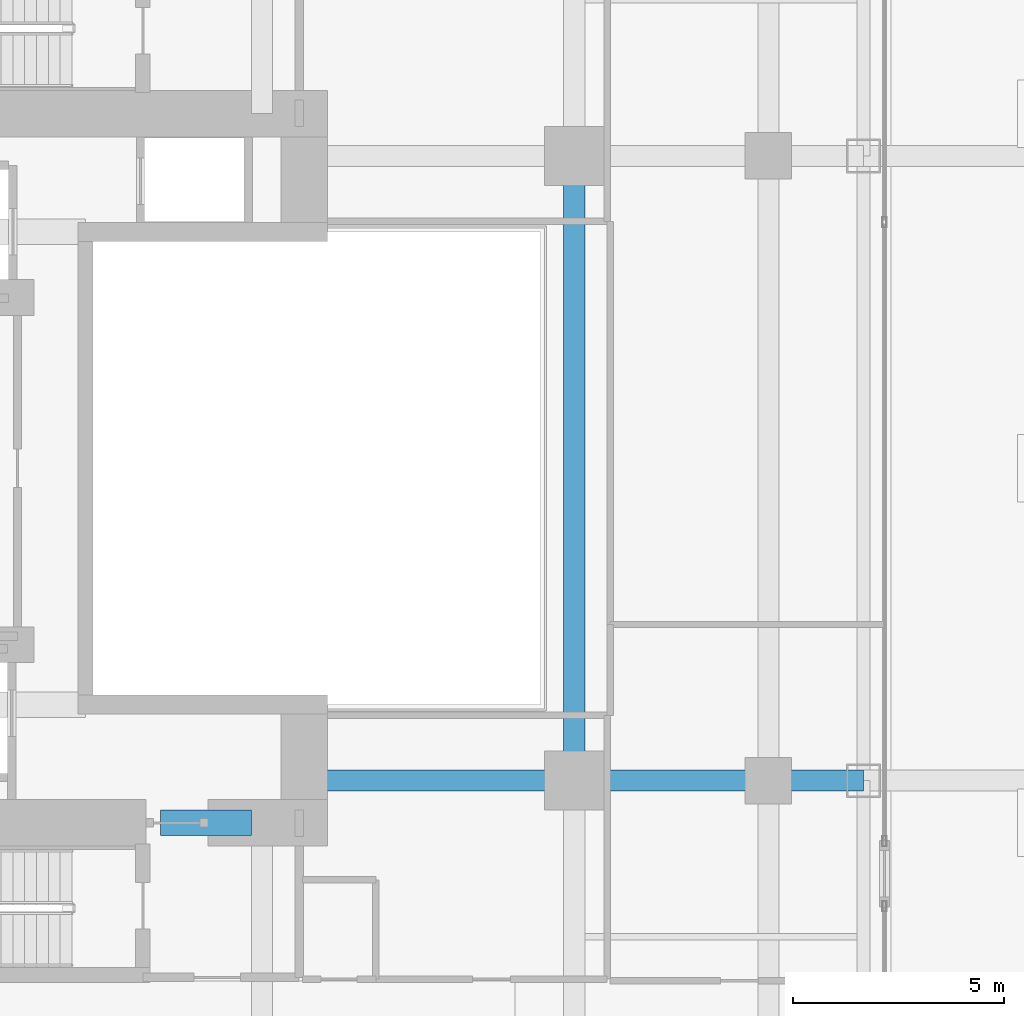
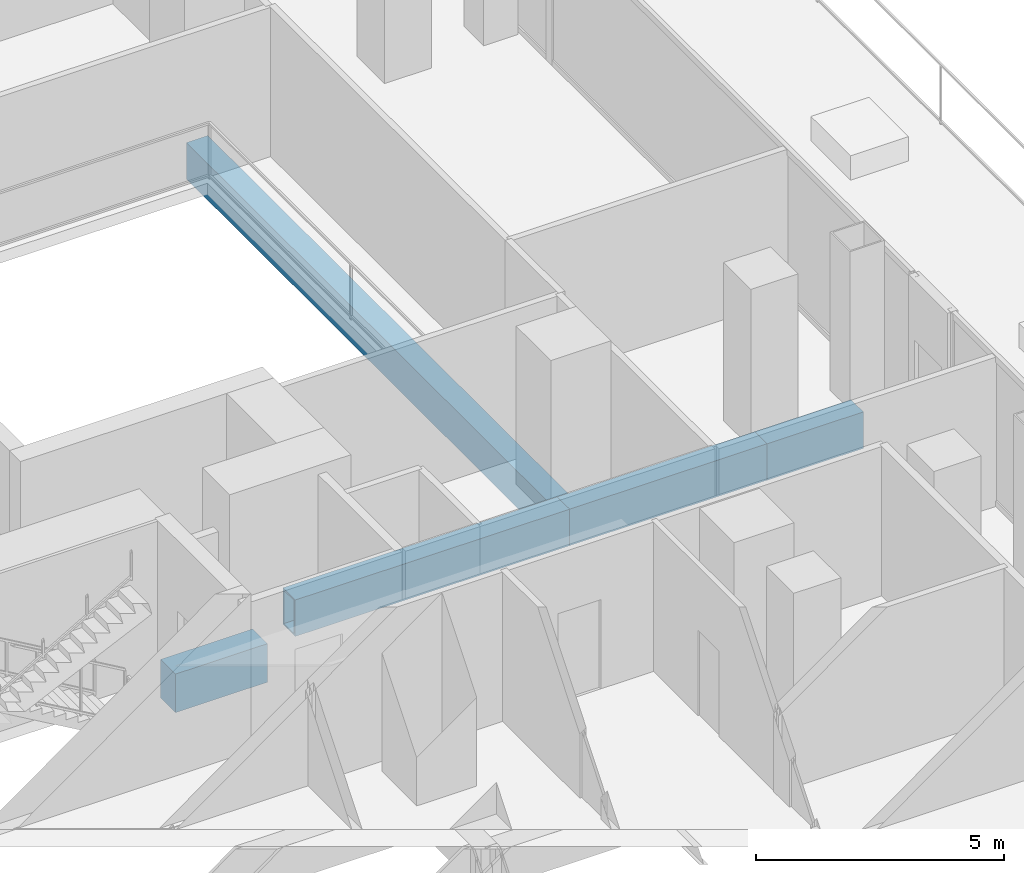
# One storey, part 11 of 29: 5 beams.
"""IFC4 building model written with IfcOpenShell, lengths in metres."""

import ifcopenshell
import ifcopenshell.guid

model = None  # the IFC model being written
_history = None  # IfcOwnerHistory: only IFC2X3 demands one
_inside = {}  # id of a spatial element -> (the spatial element, [elements in it])
_under = {}  # id of a project, library or spatial element -> (it, [spatial elements below it])
_declared = {}  # id of a project -> (the project, [libraries it declares])
_typed = {}  # id of a type object -> (the type object, [elements of that type])
_made_of = {}  # id of a material, layer set ... -> (it, [elements and type objects made of it])


def new_model(schema):
    """Start an empty IFC model of exactly this schema.

    Asked for "IFC4X3", IfcOpenShell would pick the latest addendum, in which some entities
    have other attributes; the version numbers below select the first issue.
    IFC2X3 requires an IfcOwnerHistory on every rooted entity: one is made here for all.
    """
    global model, _history
    if schema == "IFC4X3":
        model = ifcopenshell.file(schema_version=(4, 3, 0, 0))
    else:
        model = ifcopenshell.file(schema=schema)
    _inside.clear()
    _under.clear()
    _declared.clear()
    _typed.clear()
    _made_of.clear()
    _history = None
    if model.schema == "IFC2X3":
        org = make("IfcOrganization", Name="unknown")
        user = make(
            "IfcPersonAndOrganization",
            ThePerson=make("IfcPerson", FamilyName="unknown"),
            TheOrganization=org,
        )
        app = make(
            "IfcApplication",
            ApplicationDeveloper=org,
            Version="unknown",
            ApplicationFullName="unknown",
            ApplicationIdentifier="unknown",
        )
        _history = make(
            "IfcOwnerHistory",
            OwningUser=user,
            OwningApplication=app,
            ChangeAction="ADDED",
            CreationDate=0,
        )
    return model


def make(cls, **values):
    """One entity of the class cls with the attributes given. An attribute that is None is left unset."""
    return model.create_entity(
        cls, **{name: value for name, value in values.items() if value is not None}
    )


def rooted(cls, **values):
    """An entity with a GlobalId (a new one), such as an element, a storey or a relation."""
    return make(cls, GlobalId=ifcopenshell.guid.new(), OwnerHistory=_history, **values)


def si_unit(unit_type, name, prefix=None):
    """IfcSIUnit, for example si_unit("LENGTHUNIT", "METRE", prefix="MILLI")."""
    return make("IfcSIUnit", UnitType=unit_type, Prefix=prefix, Name=name)


def assignment(units):
    """IfcUnitAssignment: the units of a project."""
    return None if units is None else make("IfcUnitAssignment", Units=units)


def point(xyz):
    """IfcCartesianPoint."""
    return None if xyz is None else make("IfcCartesianPoint", Coordinates=xyz)


def direction(xyz):
    """IfcDirection."""
    return None if xyz is None else make("IfcDirection", DirectionRatios=xyz)


def frame(location, z_axis=None, x_axis=None):
    """IfcAxis2Placement3D, a coordinate frame: its origin and axes. An axis left out is left unset."""
    return make(
        "IfcAxis2Placement3D",
        Location=point(location),
        Axis=direction(z_axis),
        RefDirection=direction(x_axis),
    )


def frame_2d(location, x_axis=None):
    """IfcAxis2Placement2D, a coordinate frame in the plane: its origin and x axis."""
    return make(
        "IfcAxis2Placement2D", Location=point(location), RefDirection=direction(x_axis)
    )


def origin():
    """The frame at (0, 0, 0) with its axes left unset."""
    return frame((0.0, 0.0, 0.0))


def origin_2d():
    """The frame at (0, 0) in the plane with its x axis left unset."""
    return frame_2d((0.0, 0.0))


def place(relative_to, where):
    """IfcLocalPlacement: puts the frame where relative to a parent placement (None: the world)."""
    return make(
        "IfcLocalPlacement", PlacementRelTo=relative_to, RelativePlacement=where
    )


def context(
    kind, dimensions, precision=None, world=None, true_north=None, identifier=None
):
    """IfcGeometricRepresentationContext, for example the 3D "Model" context."""
    return make(
        "IfcGeometricRepresentationContext",
        ContextIdentifier=identifier,
        ContextType=kind,
        CoordinateSpaceDimension=dimensions,
        Precision=precision,
        WorldCoordinateSystem=world,
        TrueNorth=true_north,
    )


def subcontext(parent, identifier, kind, view, scale=None):
    """IfcGeometricRepresentationSubContext, for example "Body" below "Model"."""
    return make(
        "IfcGeometricRepresentationSubContext",
        ContextIdentifier=identifier,
        ContextType=kind,
        ParentContext=parent,
        TargetScale=scale,
        TargetView=view,
    )


def project(units=None, contexts=None):
    """IfcProject with its units and contexts."""
    return rooted(
        "IfcProject",
        Name="project",
        RepresentationContexts=contexts,
        UnitsInContext=assignment(units),
    )


def spatial(cls, under=None, at=None, **own):
    """A site, building, storey or space (cls), placed at a placement, below another one or the project."""
    s = rooted(cls, ObjectPlacement=at, **own)
    if under is not None:
        _under.setdefault(under.id(), (under, []))[1].append(s)
    return s


def profile(cls, at=None, kind="AREA", **sizes):
    """A parametric profile (cls). Its sizes go by their IFC names, for example OverallWidth=200.0."""
    return make(cls, ProfileType=kind, Position=at, **sizes)


def rectangle(**sizes):
    """IfcRectangleProfileDef."""
    return profile("IfcRectangleProfileDef", **sizes)


def hollow_rectangle(**sizes):
    """IfcRectangleHollowProfileDef."""
    return profile("IfcRectangleHollowProfileDef", **sizes)


def extrude(swept, where, along, depth):
    """IfcExtrudedAreaSolid: the profile swept, set in the frame where, extruded along a direction by depth."""
    return make(
        "IfcExtrudedAreaSolid",
        SweptArea=swept,
        Position=where,
        ExtrudedDirection=direction(along),
        Depth=depth,
    )


def shape(context_of_items, identifier, shape_type, items):
    """IfcShapeRepresentation: the items that make up one representation, for example the "Body"."""
    return make(
        "IfcShapeRepresentation",
        ContextOfItems=context_of_items,
        RepresentationIdentifier=identifier,
        RepresentationType=shape_type,
        Items=items,
    )


def material(Name=None, Category=None):
    """IfcMaterial."""
    return make("IfcMaterial", Name=Name, Category=Category)


def material_profile(
    of_material, cross_section, Name=None, Category=None, Priority=None
):
    """IfcMaterialProfile: a cross section and its material."""
    return make(
        "IfcMaterialProfile",
        Name=Name,
        Material=of_material,
        Profile=cross_section,
        Priority=Priority,
        Category=Category,
    )


def profile_set(profiles, Name=None, composite=None):
    """IfcMaterialProfileSet."""
    return make(
        "IfcMaterialProfileSet",
        Name=Name,
        MaterialProfiles=profiles,
        CompositeProfile=composite,
    )


def made_of(thing, what):
    """Note that an element or type object is made of a material, layer set ...; save() writes the relation."""
    if what is not None:
        _made_of.setdefault(what.id(), (what, []))[1].append(thing)
    return thing


def type_object(cls, material=None, **own):
    """A type object (cls), such as IfcWallType, which elements share."""
    return made_of(rooted(cls, **own), material)


def element(
    cls,
    number,
    at=None,
    inside=None,
    cuts=None,
    type_object=None,
    material=None,
    context=None,
    identifier="Body",
    shape_type=None,
    held_by="IfcProductDefinitionShape",
    body=None,
    shapes=None,
    **own,
):
    """One element of the class cls, such as IfcWall. Its Tag is "e" and its number.

    at: its placement. inside: the storey or other place that contains it. cuts: it is an
    opening in that element (IfcRelVoidsElement). A single representation is given by context,
    identifier, shape_type and body (its items); several are given by shapes. held_by: the class
    of the entity that holds the representations. save() writes the other relations.
    """
    e = rooted(cls, Tag="e%d" % number, ObjectPlacement=at, **own)
    if body is not None:
        shapes = [shape(context, identifier, shape_type, body)]
    if shapes is not None:
        e.Representation = make(held_by, Representations=shapes)
    if inside is not None:
        _inside.setdefault(inside.id(), (inside, []))[1].append(e)
    if cuts is not None:
        rooted(
            "IfcRelVoidsElement", RelatingBuildingElement=cuts, RelatedOpeningElement=e
        )
    if type_object is not None:
        _typed.setdefault(type_object.id(), (type_object, []))[1].append(e)
    return made_of(e, material)


def aggregate(whole, parts):
    """IfcRelAggregates: a whole, such as a stair, and the parts it consists of."""
    return rooted("IfcRelAggregates", RelatingObject=whole, RelatedObjects=parts)


def save(model, path):
    """Write the relations noted so far, then the file.

    IfcRelAggregates (storeys below a building ...), IfcRelContainedInSpatialStructure (elements
    in a storey), IfcRelDefinesByType, IfcRelAssociatesMaterial and IfcRelDeclares: one each for
    every whole, place, type object, material and project.
    """
    for whole, parts in _under.values():
        aggregate(whole, parts)
    for where, things in _inside.values():
        rooted(
            "IfcRelContainedInSpatialStructure",
            RelatedElements=things,
            RelatingStructure=where,
        )
    for kind, things in _typed.values():
        rooted("IfcRelDefinesByType", RelatedObjects=things, RelatingType=kind)
    for what, things in _made_of.values():
        rooted("IfcRelAssociatesMaterial", RelatedObjects=things, RelatingMaterial=what)
    for by, libraries in _declared.values():
        rooted("IfcRelDeclares", RelatingContext=by, RelatedDefinitions=libraries)
    model.write(path)


model = new_model("IFC4")

# Units and contexts
model_context = context("Model", 3, precision=1e-05, world=origin(), true_north=direction((0.0, 1.0)))
body_context = subcontext(model_context, "Body", "Model", "MODEL_VIEW")
ifc_project = project(units=[si_unit("LENGTHUNIT", "METRE"), si_unit("AREAUNIT", "SQUARE_METRE"), si_unit("VOLUMEUNIT", "CUBIC_METRE"), si_unit("PLANEANGLEUNIT", "RADIAN"), si_unit("MASSUNIT", "GRAM", prefix="KILO")], contexts=[model_context])

# Site, building, storey
site_placement = place(None, origin())
site = spatial("IfcSite", under=ifc_project, at=site_placement, CompositionType="ELEMENT")
building_placement = place(site_placement, origin())
building = spatial("IfcBuilding", under=site, at=building_placement, Name="Khorvyn Point Tower", CompositionType="ELEMENT")
storey_placement = place(building_placement, frame((0.0, 0.0, 54.0)))
storey = spatial("IfcBuildingStorey", under=building, at=storey_placement, Name="L14", CompositionType="ELEMENT", Elevation=54.0)

# Beams
ifc_material_1 = material(Name="Concrete C50/60", Category="concrete")
ifc_material_profile_1 = material_profile(ifc_material_1, rectangle(XDim=0.60009765625, YDim=0.949951171875, at=origin_2d()))
ifc_profile_set_1 = profile_set([ifc_material_profile_1], Name="Concrete C50/60 RC600x950")
beam_type_1 = type_object("IfcBeamType", Name="Concrete C50/60 Beam RC600x950", PredefinedType="BEAM", material=ifc_profile_set_1)
beam_1_placement = place(storey_placement, frame((5.0, -8.39990234375, -0.7548828125), z_axis=(1.0, 0.0, 0.0), x_axis=(0.0, 1.0, 0.0)))
element("IfcBeam", 1, at=beam_1_placement, inside=storey, type_object=beam_type_1, Name="L14 Core Southeast Portal Coupling Beam", PredefinedType="BEAM", context=body_context, shape_type="SweptSolid", body=[
    extrude(rectangle(XDim=0.60009765625, YDim=0.949951171875, at=origin_2d()), origin(), (0.0, 0.0, 1.0), 2.14990234375),
])
ifc_material_2 = material(Name="Steel S450", Category="steel")
ifc_material_profile_2 = material_profile(ifc_material_2, hollow_rectangle(XDim=0.5, YDim=0.89990234375, WallThickness=0.0400390625, at=origin_2d()))
ifc_profile_set_2 = profile_set([ifc_material_profile_2], Name="Steel S450 BOX900x500x40")
beam_type_2 = type_object("IfcBeamType", Name="Steel S450 Beam BOX900x500x40", PredefinedType="BEAM", material=ifc_profile_set_2)
beam_2_placement = place(storey_placement, frame((8.39990234375, -7.39990234375, -0.72998046875), z_axis=(1.0, 0.0, 0.0), x_axis=(0.0, 1.0, 0.0)))
element("IfcBeam", 2, at=beam_2_placement, inside=storey, type_object=beam_type_2, Name="Beam", PredefinedType="BEAM", context=body_context, shape_type="SweptSolid", body=[
    extrude(hollow_rectangle(XDim=0.5, YDim=0.89990234375, WallThickness=0.0400390625, at=origin_2d()), origin(), (0.0, 0.0, 1.0), 6.400146484375),
])
beam_3_placement = place(storey_placement, frame((14.800048828125, -7.39990234375, -0.72998046875), z_axis=(1.0, 0.0, 0.0), x_axis=(0.0, 1.0, 0.0)))
element("IfcBeam", 3, at=beam_3_placement, inside=storey, type_object=beam_type_2, Name="Beam", PredefinedType="BEAM", context=body_context, shape_type="SweptSolid", body=[
    extrude(hollow_rectangle(XDim=0.5, YDim=0.89990234375, WallThickness=0.0400390625, at=origin_2d()), origin(), (0.0, 0.0, 1.0), 4.599853515625),
])
beam_4_placement = place(storey_placement, frame((19.39990234375, -7.39990234375, -0.72998046875), z_axis=(1.0, 0.0, 0.0), x_axis=(0.0, 1.0, 0.0)))
element("IfcBeam", 4, at=beam_4_placement, inside=storey, type_object=beam_type_2, Name="Beam", PredefinedType="BEAM", context=body_context, shape_type="SweptSolid", body=[
    extrude(hollow_rectangle(XDim=0.5, YDim=0.89990234375, WallThickness=0.0400390625, at=origin_2d()), origin(), (0.0, 0.0, 1.0), 2.25),
])
beam_5_placement = place(storey_placement, frame((14.800048828125, -7.39990234375, -0.72998046875), z_axis=(0.0, 1.0, 0.0), x_axis=(-1.0, 0.0, 0.0)))
element("IfcBeam", 5, at=beam_5_placement, inside=storey, type_object=beam_type_2, Name="L14 Radial Transfer Girder", PredefinedType="BEAM", context=body_context, shape_type="SweptSolid", body=[
    extrude(hollow_rectangle(XDim=0.5, YDim=0.89990234375, WallThickness=0.0400390625, at=origin_2d()), origin(), (0.0, 0.0, 1.0), 14.7998046875),
])

save(model, "model.ifc")
